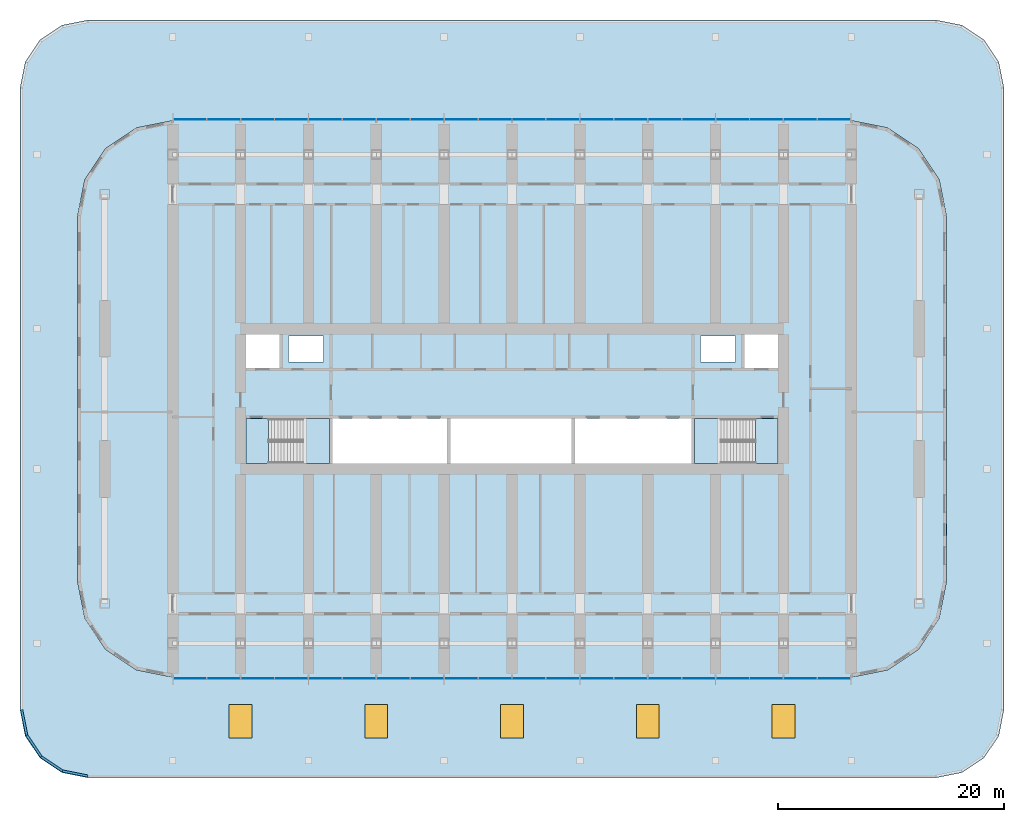
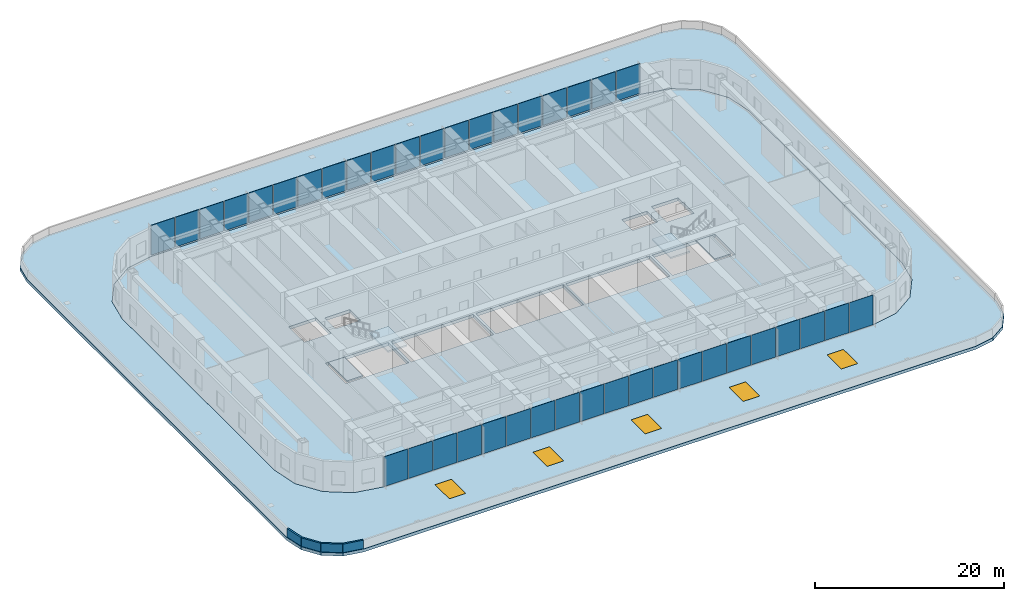
# One storey, part 8 of 23: 40 plates, 6 slabs, 5 windows, 4 walls, 5 openings, 4 elements without a shape of their own.
"""IFC4 building model written with IfcOpenShell, lengths in metres."""

import ifcopenshell
import ifcopenshell.guid

model = None  # the IFC model being written
_history = None  # IfcOwnerHistory: only IFC2X3 demands one
_inside = {}  # id of a spatial element -> (the spatial element, [elements in it])
_under = {}  # id of a project, library or spatial element -> (it, [spatial elements below it])
_declared = {}  # id of a project -> (the project, [libraries it declares])
_typed = {}  # id of a type object -> (the type object, [elements of that type])
_made_of = {}  # id of a material, layer set ... -> (it, [elements and type objects made of it])


def new_model(schema):
    """Start an empty IFC model of exactly this schema.

    Asked for "IFC4X3", IfcOpenShell would pick the latest addendum, in which some entities
    have other attributes; the version numbers below select the first issue.
    IFC2X3 requires an IfcOwnerHistory on every rooted entity: one is made here for all.
    """
    global model, _history
    if schema == "IFC4X3":
        model = ifcopenshell.file(schema_version=(4, 3, 0, 0))
    else:
        model = ifcopenshell.file(schema=schema)
    _inside.clear()
    _under.clear()
    _declared.clear()
    _typed.clear()
    _made_of.clear()
    _history = None
    if model.schema == "IFC2X3":
        org = make("IfcOrganization", Name="unknown")
        user = make(
            "IfcPersonAndOrganization",
            ThePerson=make("IfcPerson", FamilyName="unknown"),
            TheOrganization=org,
        )
        app = make(
            "IfcApplication",
            ApplicationDeveloper=org,
            Version="unknown",
            ApplicationFullName="unknown",
            ApplicationIdentifier="unknown",
        )
        _history = make(
            "IfcOwnerHistory",
            OwningUser=user,
            OwningApplication=app,
            ChangeAction="ADDED",
            CreationDate=0,
        )
    return model


def make(cls, **values):
    """One entity of the class cls with the attributes given. An attribute that is None is left unset."""
    return model.create_entity(
        cls, **{name: value for name, value in values.items() if value is not None}
    )


def rooted(cls, **values):
    """An entity with a GlobalId (a new one), such as an element, a storey or a relation."""
    return make(cls, GlobalId=ifcopenshell.guid.new(), OwnerHistory=_history, **values)


def si_unit(unit_type, name, prefix=None):
    """IfcSIUnit, for example si_unit("LENGTHUNIT", "METRE", prefix="MILLI")."""
    return make("IfcSIUnit", UnitType=unit_type, Prefix=prefix, Name=name)


def assignment(units):
    """IfcUnitAssignment: the units of a project."""
    return None if units is None else make("IfcUnitAssignment", Units=units)


def point(xyz):
    """IfcCartesianPoint."""
    return None if xyz is None else make("IfcCartesianPoint", Coordinates=xyz)


def direction(xyz):
    """IfcDirection."""
    return None if xyz is None else make("IfcDirection", DirectionRatios=xyz)


def frame(location, z_axis=None, x_axis=None):
    """IfcAxis2Placement3D, a coordinate frame: its origin and axes. An axis left out is left unset."""
    return make(
        "IfcAxis2Placement3D",
        Location=point(location),
        Axis=direction(z_axis),
        RefDirection=direction(x_axis),
    )


def frame_2d(location, x_axis=None):
    """IfcAxis2Placement2D, a coordinate frame in the plane: its origin and x axis."""
    return make(
        "IfcAxis2Placement2D", Location=point(location), RefDirection=direction(x_axis)
    )


def origin():
    """The frame at (0, 0, 0) with its axes left unset."""
    return frame((0.0, 0.0, 0.0))


def origin_2d():
    """The frame at (0, 0) in the plane with its x axis left unset."""
    return frame_2d((0.0, 0.0))


def place(relative_to, where):
    """IfcLocalPlacement: puts the frame where relative to a parent placement (None: the world)."""
    return make(
        "IfcLocalPlacement", PlacementRelTo=relative_to, RelativePlacement=where
    )


def context(
    kind, dimensions, precision=None, world=None, true_north=None, identifier=None
):
    """IfcGeometricRepresentationContext, for example the 3D "Model" context."""
    return make(
        "IfcGeometricRepresentationContext",
        ContextIdentifier=identifier,
        ContextType=kind,
        CoordinateSpaceDimension=dimensions,
        Precision=precision,
        WorldCoordinateSystem=world,
        TrueNorth=true_north,
    )


def subcontext(parent, identifier, kind, view, scale=None):
    """IfcGeometricRepresentationSubContext, for example "Body" below "Model"."""
    return make(
        "IfcGeometricRepresentationSubContext",
        ContextIdentifier=identifier,
        ContextType=kind,
        ParentContext=parent,
        TargetScale=scale,
        TargetView=view,
    )


def project(units=None, contexts=None):
    """IfcProject with its units and contexts."""
    return rooted(
        "IfcProject",
        Name="project",
        RepresentationContexts=contexts,
        UnitsInContext=assignment(units),
    )


def spatial(cls, under=None, at=None, **own):
    """A site, building, storey or space (cls), placed at a placement, below another one or the project."""
    s = rooted(cls, ObjectPlacement=at, **own)
    if under is not None:
        _under.setdefault(under.id(), (under, []))[1].append(s)
    return s


def polyline(points):
    """IfcPolyline through the points."""
    return make("IfcPolyline", Points=[point(p) for p in points])


def profile(cls, at=None, kind="AREA", **sizes):
    """A parametric profile (cls). Its sizes go by their IFC names, for example OverallWidth=200.0."""
    return make(cls, ProfileType=kind, Position=at, **sizes)


def rectangle(**sizes):
    """IfcRectangleProfileDef."""
    return profile("IfcRectangleProfileDef", **sizes)


def outline(outer, holes=None, kind="AREA"):
    """IfcArbitraryClosedProfileDef: a profile drawn as a closed curve; with holes, ...WithVoids."""
    if holes is None:
        return make("IfcArbitraryClosedProfileDef", ProfileType=kind, OuterCurve=outer)
    return make(
        "IfcArbitraryProfileDefWithVoids",
        ProfileType=kind,
        OuterCurve=outer,
        InnerCurves=holes,
    )


def extrude(swept, where, along, depth):
    """IfcExtrudedAreaSolid: the profile swept, set in the frame where, extruded along a direction by depth."""
    return make(
        "IfcExtrudedAreaSolid",
        SweptArea=swept,
        Position=where,
        ExtrudedDirection=direction(along),
        Depth=depth,
    )


def shape(context_of_items, identifier, shape_type, items):
    """IfcShapeRepresentation: the items that make up one representation, for example the "Body"."""
    return make(
        "IfcShapeRepresentation",
        ContextOfItems=context_of_items,
        RepresentationIdentifier=identifier,
        RepresentationType=shape_type,
        Items=items,
    )


def material(Name=None, Category=None):
    """IfcMaterial."""
    return make("IfcMaterial", Name=Name, Category=Category)


def layer(
    of_material, thickness, ventilated=None, Name=None, Category=None, Priority=None
):
    """IfcMaterialLayer: one layer of a wall or slab, of a material (None: an air gap)."""
    return make(
        "IfcMaterialLayer",
        Material=of_material,
        LayerThickness=thickness,
        IsVentilated=ventilated,
        Name=Name,
        Category=Category,
        Priority=Priority,
    )


def layer_set(layers, Name=None):
    """IfcMaterialLayerSet."""
    return make("IfcMaterialLayerSet", MaterialLayers=layers, LayerSetName=Name)


def made_of(thing, what):
    """Note that an element or type object is made of a material, layer set ...; save() writes the relation."""
    if what is not None:
        _made_of.setdefault(what.id(), (what, []))[1].append(thing)
    return thing


def type_object(cls, material=None, **own):
    """A type object (cls), such as IfcWallType, which elements share."""
    return made_of(rooted(cls, **own), material)


def element(
    cls,
    number,
    at=None,
    inside=None,
    cuts=None,
    type_object=None,
    material=None,
    context=None,
    identifier="Body",
    shape_type=None,
    held_by="IfcProductDefinitionShape",
    body=None,
    shapes=None,
    **own,
):
    """One element of the class cls, such as IfcWall. Its Tag is "e" and its number.

    at: its placement. inside: the storey or other place that contains it. cuts: it is an
    opening in that element (IfcRelVoidsElement). A single representation is given by context,
    identifier, shape_type and body (its items); several are given by shapes. held_by: the class
    of the entity that holds the representations. save() writes the other relations.
    """
    e = rooted(cls, Tag="e%d" % number, ObjectPlacement=at, **own)
    if body is not None:
        shapes = [shape(context, identifier, shape_type, body)]
    if shapes is not None:
        e.Representation = make(held_by, Representations=shapes)
    if inside is not None:
        _inside.setdefault(inside.id(), (inside, []))[1].append(e)
    if cuts is not None:
        rooted(
            "IfcRelVoidsElement", RelatingBuildingElement=cuts, RelatedOpeningElement=e
        )
    if type_object is not None:
        _typed.setdefault(type_object.id(), (type_object, []))[1].append(e)
    return made_of(e, material)


def fill(opening, filler):
    """IfcRelFillsElement: the door or window that sits in an opening."""
    return rooted(
        "IfcRelFillsElement",
        RelatingOpeningElement=opening,
        RelatedBuildingElement=filler,
    )


def aggregate(whole, parts):
    """IfcRelAggregates: a whole, such as a stair, and the parts it consists of."""
    return rooted("IfcRelAggregates", RelatingObject=whole, RelatedObjects=parts)


def save(model, path):
    """Write the relations noted so far, then the file.

    IfcRelAggregates (storeys below a building ...), IfcRelContainedInSpatialStructure (elements
    in a storey), IfcRelDefinesByType, IfcRelAssociatesMaterial and IfcRelDeclares: one each for
    every whole, place, type object, material and project.
    """
    for whole, parts in _under.values():
        aggregate(whole, parts)
    for where, things in _inside.values():
        rooted(
            "IfcRelContainedInSpatialStructure",
            RelatedElements=things,
            RelatingStructure=where,
        )
    for kind, things in _typed.values():
        rooted("IfcRelDefinesByType", RelatedObjects=things, RelatingType=kind)
    for what, things in _made_of.values():
        rooted("IfcRelAssociatesMaterial", RelatedObjects=things, RelatingMaterial=what)
    for by, libraries in _declared.values():
        rooted("IfcRelDeclares", RelatingContext=by, RelatedDefinitions=libraries)
    model.write(path)


model = new_model("IFC4")

# Units and contexts
model_context = context("Model", 3, precision=1e-05, world=origin(), true_north=direction((0.0, 1.0)))
body_context = subcontext(model_context, "Body", "Model", "MODEL_VIEW")
ifc_project = project(units=[si_unit("LENGTHUNIT", "METRE"), si_unit("AREAUNIT", "SQUARE_METRE"), si_unit("VOLUMEUNIT", "CUBIC_METRE"), si_unit("PLANEANGLEUNIT", "RADIAN"), si_unit("MASSUNIT", "GRAM", prefix="KILO")], contexts=[model_context])

# Site, building, storey
site_placement = place(None, origin())
site = spatial("IfcSite", under=ifc_project, at=site_placement, CompositionType="ELEMENT")
building_placement = place(site_placement, origin())
building = spatial("IfcBuilding", under=site, at=building_placement, Name="Orbita Commons", CompositionType="ELEMENT")
storey_placement = place(building_placement, frame((0.0, 0.0, 16.0)))
storey = spatial("IfcBuildingStorey", under=building, at=storey_placement, Name="L03", CompositionType="ELEMENT", Elevation=16.0)

# Slab
ifc_material_1 = material(Name="Concrete C40/50", Category="concrete")
ifc_layer_1 = layer(ifc_material_1, 0.39990234375)
ifc_layer_set_1 = layer_set([ifc_layer_1], Name="Concrete C40/50")
slab_type_1 = type_object("IfcSlabType", Name="Floor slab 400", PredefinedType="FLOOR", material=ifc_layer_set_1)
slab_1_placement = place(storey_placement, frame((0.0, 0.0, -0.39990234375)))
element("IfcSlab", 1, at=slab_1_placement, inside=storey, type_object=slab_type_1, Name="Floor slab L03", PredefinedType="FLOOR", context=body_context, shape_type="SweptSolid", body=[
    extrude(outline(polyline([(72.0, 7.39990234375), (75.214599609375, 8.039306640625), (77.939697265625, 9.8603515625), (79.760498046875, 12.58544921875), (80.39990234375, 15.800048828125), (80.39990234375, 48.199951171875), (79.760498046875, 51.41455078125), (77.939697265625, 54.1396484375), (75.214599609375, 55.960693359375), (72.0, 56.60009765625), (12.0, 56.60009765625), (8.785400390625, 55.960693359375), (6.060302734375, 54.1396484375), (4.239501953125, 51.41455078125), (3.60009765625, 48.199951171875), (3.60009765625, 15.800048828125), (4.239501953125, 12.58544921875), (6.060302734375, 9.8603515625), (8.785400390625, 8.039306640625), (12.0, 7.39990234375), (72.0, 7.39990234375)]), holes=[polyline([(18.14990234375, 25.949951171875), (25.85009765625, 25.949951171875), (25.85009765625, 30.25), (18.14990234375, 30.25), (18.14990234375, 25.949951171875)]), polyline([(58.14990234375, 25.949951171875), (65.85009765625, 25.949951171875), (65.85009765625, 30.25), (58.14990234375, 30.25), (58.14990234375, 25.949951171875)]), polyline([(18.14990234375, 34.75), (21.449951171875, 34.75), (21.449951171875, 38.050048828125), (18.14990234375, 38.050048828125), (18.14990234375, 34.75)]), polyline([(62.550048828125, 34.75), (65.85009765625, 34.75), (65.85009765625, 38.050048828125), (62.550048828125, 38.050048828125), (62.550048828125, 34.75)]), polyline([(22.25, 35.25), (25.35009765625, 35.25), (25.35009765625, 37.550048828125), (22.25, 37.550048828125), (22.25, 35.25)]), polyline([(58.64990234375, 35.25), (61.75, 35.25), (61.75, 37.550048828125), (58.64990234375, 37.550048828125), (58.64990234375, 35.25)]), polyline([(26.14990234375, 25.949951171875), (36.25, 25.949951171875), (36.25, 30.25), (26.14990234375, 30.25), (26.14990234375, 25.949951171875)]), polyline([(36.550048828125, 25.949951171875), (47.25, 25.949951171875), (47.25, 30.25), (36.550048828125, 30.25), (36.550048828125, 25.949951171875)]), polyline([(47.550048828125, 25.949951171875), (57.85009765625, 25.949951171875), (57.85009765625, 30.25), (47.550048828125, 30.25), (47.550048828125, 25.949951171875)])]), origin(), (0.0, 0.0, 1.0), 0.39990234375),
])

# Slab, openings, windows
ifc_material_2 = material(Name="Concrete C40/50", Category="concrete")
ifc_layer_2 = layer(ifc_material_2, 0.39990234375)
ifc_layer_set_2 = layer_set([ifc_layer_2], Name="Concrete C40/50")
slab_type_2 = type_object("IfcSlabType", Name="Green roof slab 400", PredefinedType="ROOF", material=ifc_layer_set_2)
slab_2_placement = place(storey_placement, frame((0.0, 0.0, -0.39990234375)))
slab_2 = element("IfcSlab", 2, at=slab_2_placement, inside=storey, type_object=slab_type_2, Name="Green roof L03", PredefinedType="ROOF", context=body_context, shape_type="SweptSolid", body=[
    extrude(outline(polyline([(4.5, -1.5), (2.203857421875, -1.043212890625), (0.25732421875, 0.25732421875), (-1.043212890625, 2.203857421875), (-1.5, 4.5), (-1.5, 59.5), (-1.043212890625, 61.796142578125), (0.25732421875, 63.74267578125), (2.203857421875, 65.043212890625), (4.5, 65.5), (79.5, 65.5), (81.796142578125, 65.043212890625), (83.74267578125, 63.74267578125), (85.043212890625, 61.796142578125), (85.5, 59.5), (85.5, 4.5), (85.043212890625, 2.203857421875), (83.74267578125, 0.25732421875), (81.796142578125, -1.043212890625), (79.5, -1.5), (4.5, -1.5)]), holes=[polyline([(75.214599609375, 8.039306640625), (77.939697265625, 9.8603515625), (79.760498046875, 12.58544921875), (80.39990234375, 15.800048828125), (80.39990234375, 48.199951171875), (79.760498046875, 51.41455078125), (77.939697265625, 54.1396484375), (75.214599609375, 55.960693359375), (72.0, 56.60009765625), (12.0, 56.60009765625), (8.785400390625, 55.960693359375), (6.060302734375, 54.1396484375), (4.239501953125, 51.41455078125), (3.60009765625, 48.199951171875), (3.60009765625, 15.800048828125), (4.239501953125, 12.58544921875), (6.060302734375, 9.8603515625), (8.785400390625, 8.039306640625), (12.0, 7.39990234375), (72.0, 7.39990234375), (75.214599609375, 8.039306640625)])]), origin(), (0.0, 0.0, 1.0), 0.39990234375),
])
opening_1_placement = place(slab_2_placement, frame((18.0, 3.5, 0.0)))
opening_1 = element("IfcOpeningElement", 3, at=opening_1_placement, cuts=slab_2, Name="Opening RL1", PredefinedType="OPENING", context=body_context, shape_type="SweptSolid", body=[
    extrude(rectangle(XDim=2.0, YDim=3.0, at=origin_2d()), origin(), (0.0, 0.0, 1.0), 0.39990234375),
])
opening_2_placement = place(slab_2_placement, frame((30.0, 3.5, 0.0)))
opening_2 = element("IfcOpeningElement", 4, at=opening_2_placement, cuts=slab_2, Name="Opening RL1", PredefinedType="OPENING", context=body_context, shape_type="SweptSolid", body=[
    extrude(rectangle(XDim=2.0, YDim=3.0, at=origin_2d()), origin(), (0.0, 0.0, 1.0), 0.39990234375),
])
opening_3_placement = place(slab_2_placement, frame((42.0, 3.5, 0.0)))
opening_3 = element("IfcOpeningElement", 5, at=opening_3_placement, cuts=slab_2, Name="Opening RL1", PredefinedType="OPENING", context=body_context, shape_type="SweptSolid", body=[
    extrude(rectangle(XDim=2.0, YDim=3.0, at=origin_2d()), origin(), (0.0, 0.0, 1.0), 0.39990234375),
])
opening_4_placement = place(slab_2_placement, frame((54.0, 3.5, 0.0)))
opening_4 = element("IfcOpeningElement", 6, at=opening_4_placement, cuts=slab_2, Name="Opening RL1", PredefinedType="OPENING", context=body_context, shape_type="SweptSolid", body=[
    extrude(rectangle(XDim=2.0, YDim=3.0, at=origin_2d()), origin(), (0.0, 0.0, 1.0), 0.39990234375),
])
opening_5_placement = place(slab_2_placement, frame((66.0, 3.5, 0.0)))
opening_5 = element("IfcOpeningElement", 7, at=opening_5_placement, cuts=slab_2, Name="Opening RL1", PredefinedType="OPENING", context=body_context, shape_type="SweptSolid", body=[
    extrude(rectangle(XDim=2.0, YDim=3.0, at=origin_2d()), origin(), (0.0, 0.0, 1.0), 0.39990234375),
])
ifc_material_3 = material(Name="Laminated walk-on glass in a stainless steel frame", Category="steel")
window_type = type_object("IfcWindowType", Name="Walk-on rooflight 2000x3000", PartitioningType="SINGLE_PANEL", PredefinedType="SKYLIGHT", material=ifc_material_3)
window_1_placement = place(opening_1_placement, frame((0.0, 0.0, 0.349853515625)))
window_1 = element("IfcWindow", 8, at=window_1_placement, inside=storey, type_object=window_type, Name="Walk-on rooflight 1", OverallHeight=3.0, OverallWidth=2.0, PartitioningType="SINGLE_PANEL", PredefinedType="SKYLIGHT", context=body_context, shape_type="SweptSolid", body=[
    extrude(rectangle(XDim=2.0, YDim=3.0, at=origin_2d()), origin(), (0.0, 0.0, 1.0), 0.050048828125),
])
fill(opening_1, window_1)
window_2_placement = place(opening_2_placement, frame((0.0, 0.0, 0.349853515625)))
window_2 = element("IfcWindow", 9, at=window_2_placement, inside=storey, type_object=window_type, Name="Walk-on rooflight 2", OverallHeight=3.0, OverallWidth=2.0, PartitioningType="SINGLE_PANEL", PredefinedType="SKYLIGHT", context=body_context, shape_type="SweptSolid", body=[
    extrude(rectangle(XDim=2.0, YDim=3.0, at=origin_2d()), origin(), (0.0, 0.0, 1.0), 0.050048828125),
])
fill(opening_2, window_2)
window_3_placement = place(opening_3_placement, frame((0.0, 0.0, 0.349853515625)))
window_3 = element("IfcWindow", 10, at=window_3_placement, inside=storey, type_object=window_type, Name="Walk-on rooflight 3", OverallHeight=3.0, OverallWidth=2.0, PartitioningType="SINGLE_PANEL", PredefinedType="SKYLIGHT", context=body_context, shape_type="SweptSolid", body=[
    extrude(rectangle(XDim=2.0, YDim=3.0, at=origin_2d()), origin(), (0.0, 0.0, 1.0), 0.050048828125),
])
fill(opening_3, window_3)
window_4_placement = place(opening_4_placement, frame((0.0, 0.0, 0.349853515625)))
window_4 = element("IfcWindow", 11, at=window_4_placement, inside=storey, type_object=window_type, Name="Walk-on rooflight 4", OverallHeight=3.0, OverallWidth=2.0, PartitioningType="SINGLE_PANEL", PredefinedType="SKYLIGHT", context=body_context, shape_type="SweptSolid", body=[
    extrude(rectangle(XDim=2.0, YDim=3.0, at=origin_2d()), origin(), (0.0, 0.0, 1.0), 0.050048828125),
])
fill(opening_4, window_4)
window_5_placement = place(opening_5_placement, frame((0.0, 0.0, 0.349853515625)))
window_5 = element("IfcWindow", 12, at=window_5_placement, inside=storey, type_object=window_type, Name="Walk-on rooflight 5", OverallHeight=3.0, OverallWidth=2.0, PartitioningType="SINGLE_PANEL", PredefinedType="SKYLIGHT", context=body_context, shape_type="SweptSolid", body=[
    extrude(rectangle(XDim=2.0, YDim=3.0, at=origin_2d()), origin(), (0.0, 0.0, 1.0), 0.050048828125),
])
fill(opening_5, window_5)

# Stair, slabs
ifc_material_4 = material(Name="Precast concrete C40/50", Category="concrete")
stair_type_1 = type_object("IfcStairType", Name="Exit stair S1 2 flights 12 risers 175", PredefinedType="HALF_TURN_STAIR", material=ifc_material_4)
stair_1_placement = place(storey_placement, origin())
stair_1 = element("IfcStair", 13, at=stair_1_placement, inside=storey, type_object=stair_type_1, Name="Exit stair S1 L03", PredefinedType="HALF_TURN_STAIR")
ifc_material_5 = material(Name="Concrete C40/50", Category="concrete")
ifc_layer_3 = layer(ifc_material_5, 0.199951171875)
ifc_layer_set_3 = layer_set([ifc_layer_3], Name="Concrete C40/50")
slab_type_3 = type_object("IfcSlabType", Name="Stair landing 200", PredefinedType="LANDING", material=ifc_layer_set_3)
slab_3_placement = place(storey_placement, frame((0.0, 0.0, -0.199951171875)))
slab_3 = element("IfcSlab", 14, at=slab_3_placement, type_object=slab_type_3, Name="S1 landing 1", PredefinedType="LANDING", context=body_context, shape_type="SweptSolid", body=[
    extrude(outline(polyline([(18.5, 26.300048828125), (20.449951171875, 26.300048828125), (20.449951171875, 30.25), (18.5, 30.25), (18.5, 26.300048828125)])), origin(), (0.0, 0.0, 1.0), 0.199951171875),
])
slab_4_placement = place(storey_placement, frame((0.0, 0.0, 1.89990234375)))
slab_4 = element("IfcSlab", 15, at=slab_4_placement, type_object=slab_type_3, Name="S1 landing 2", PredefinedType="LANDING", context=body_context, shape_type="SweptSolid", body=[
    extrude(outline(polyline([(23.530029296875, 26.284912109375), (25.864990234375, 26.284912109375), (25.864990234375, 30.264892578125), (23.530029296875, 30.264892578125), (23.530029296875, 26.284912109375)])), origin(), (0.0, 0.0, 1.0), 0.2001953125),
])
aggregate(stair_1, [slab_3, slab_4])

ifc_material_6 = material(Name="Precast concrete C40/50", Category="concrete")
stair_type_2 = type_object("IfcStairType", Name="Exit stair S2 2 flights 12 risers 175", PredefinedType="HALF_TURN_STAIR", material=ifc_material_6)
stair_2_placement = place(storey_placement, origin())
stair_2 = element("IfcStair", 16, at=stair_2_placement, inside=storey, type_object=stair_type_2, Name="Exit stair S2 L03", PredefinedType="HALF_TURN_STAIR")
slab_5_placement = place(storey_placement, frame((0.0, 0.0, -0.199951171875)))
slab_5 = element("IfcSlab", 17, at=slab_5_placement, type_object=slab_type_3, Name="S2 landing 1", PredefinedType="LANDING", context=body_context, shape_type="SweptSolid", body=[
    extrude(outline(polyline([(63.550048828125, 26.300048828125), (65.5, 26.300048828125), (65.5, 30.25), (63.550048828125, 30.25), (63.550048828125, 26.300048828125)])), origin(), (0.0, 0.0, 1.0), 0.199951171875),
])
slab_6_placement = place(storey_placement, frame((0.0, 0.0, 1.89990234375)))
slab_6 = element("IfcSlab", 18, at=slab_6_placement, type_object=slab_type_3, Name="S2 landing 2", PredefinedType="LANDING", context=body_context, shape_type="SweptSolid", body=[
    extrude(outline(polyline([(58.135009765625, 26.284912109375), (60.469970703125, 26.284912109375), (60.469970703125, 30.264892578125), (58.135009765625, 30.264892578125), (58.135009765625, 26.284912109375)])), origin(), (0.0, 0.0, 1.0), 0.2001953125),
])
aggregate(stair_2, [slab_5, slab_6])

# Curtain wall, plates
ifc_material_7 = material(Name="Anodised aluminium frame, pale silver", Category="aluminium")
curtain_wall_type = type_object("IfcCurtainWallType", Name="Unitised curtain wall CW-S, full-height", PredefinedType="NOTDEFINED", material=ifc_material_7)
curtain_wall_1_placement = place(storey_placement, origin())
curtain_wall_1 = element("IfcCurtainWall", 19, at=curtain_wall_1_placement, inside=storey, type_object=curtain_wall_type, Name="Curtain wall south L03", PredefinedType="NOTDEFINED")
ifc_material_8 = material(Name="Low-iron glass", Category="glass")
ifc_layer_4 = layer(ifc_material_8, 0.031982421875)
ifc_layer_set_4 = layer_set([ifc_layer_4], Name="Low-iron glass")
plate_type = type_object("IfcPlateType", Name="Vision panel, clear low-iron glazing 32", PredefinedType="CURTAIN_PANEL", material=ifc_layer_set_4)
plate_1_placement = place(storey_placement, frame((13.52001953125, 7.2900390625, 0.099853515625), z_axis=(0.0, 0.0, 1.0), x_axis=(1.0, 0.0, 0.0)))
plate_1 = element("IfcPlate", 20, at=plate_1_placement, type_object=plate_type, Name="Panel 1.1 CW-L03-S", PredefinedType="CURTAIN_PANEL", context=body_context, shape_type="SweptSolid", body=[
    extrude(rectangle(XDim=2.8798828125, YDim=0.031982421875, at=origin_2d()), origin(), (0.0, 0.0, 1.0), 3.85009765625),
])
plate_2_placement = place(storey_placement, frame((16.5, 7.2900390625, 0.099853515625), z_axis=(0.0, 0.0, 1.0), x_axis=(1.0, 0.0, 0.0)))
plate_2 = element("IfcPlate", 21, at=plate_2_placement, type_object=plate_type, Name="Panel 2.1 CW-L03-S", PredefinedType="CURTAIN_PANEL", context=body_context, shape_type="SweptSolid", body=[
    extrude(rectangle(XDim=2.919921875, YDim=0.031982421875, at=origin_2d()), origin(), (0.0, 0.0, 1.0), 3.85009765625),
])
plate_3_placement = place(storey_placement, frame((19.5, 7.2900390625, 0.099853515625), z_axis=(0.0, 0.0, 1.0), x_axis=(1.0, 0.0, 0.0)))
plate_3 = element("IfcPlate", 22, at=plate_3_placement, type_object=plate_type, Name="Panel 3.1 CW-L03-S", PredefinedType="CURTAIN_PANEL", context=body_context, shape_type="SweptSolid", body=[
    extrude(rectangle(XDim=2.919921875, YDim=0.031982421875, at=origin_2d()), origin(), (0.0, 0.0, 1.0), 3.85009765625),
])
plate_4_placement = place(storey_placement, frame((22.5, 7.2900390625, 0.099853515625), z_axis=(0.0, 0.0, 1.0), x_axis=(1.0, 0.0, 0.0)))
plate_4 = element("IfcPlate", 23, at=plate_4_placement, type_object=plate_type, Name="Panel 4.1 CW-L03-S", PredefinedType="CURTAIN_PANEL", context=body_context, shape_type="SweptSolid", body=[
    extrude(rectangle(XDim=2.919921875, YDim=0.031982421875, at=origin_2d()), origin(), (0.0, 0.0, 1.0), 3.85009765625),
])
plate_5_placement = place(storey_placement, frame((25.5, 7.2900390625, 0.099853515625), z_axis=(0.0, 0.0, 1.0), x_axis=(1.0, 0.0, 0.0)))
plate_5 = element("IfcPlate", 24, at=plate_5_placement, type_object=plate_type, Name="Panel 5.1 CW-L03-S", PredefinedType="CURTAIN_PANEL", context=body_context, shape_type="SweptSolid", body=[
    extrude(rectangle(XDim=2.919921875, YDim=0.031982421875, at=origin_2d()), origin(), (0.0, 0.0, 1.0), 3.85009765625),
])
plate_6_placement = place(storey_placement, frame((28.5, 7.2900390625, 0.099853515625), z_axis=(0.0, 0.0, 1.0), x_axis=(1.0, 0.0, 0.0)))
plate_6 = element("IfcPlate", 25, at=plate_6_placement, type_object=plate_type, Name="Panel 6.1 CW-L03-S", PredefinedType="CURTAIN_PANEL", context=body_context, shape_type="SweptSolid", body=[
    extrude(rectangle(XDim=2.919921875, YDim=0.031982421875, at=origin_2d()), origin(), (0.0, 0.0, 1.0), 3.85009765625),
])
plate_7_placement = place(storey_placement, frame((31.5, 7.2900390625, 0.099853515625), z_axis=(0.0, 0.0, 1.0), x_axis=(1.0, 0.0, 0.0)))
plate_7 = element("IfcPlate", 26, at=plate_7_placement, type_object=plate_type, Name="Panel 7.1 CW-L03-S", PredefinedType="CURTAIN_PANEL", context=body_context, shape_type="SweptSolid", body=[
    extrude(rectangle(XDim=2.919921875, YDim=0.031982421875, at=origin_2d()), origin(), (0.0, 0.0, 1.0), 3.85009765625),
])
plate_8_placement = place(storey_placement, frame((34.5, 7.2900390625, 0.099853515625), z_axis=(0.0, 0.0, 1.0), x_axis=(1.0, 0.0, 0.0)))
plate_8 = element("IfcPlate", 27, at=plate_8_placement, type_object=plate_type, Name="Panel 8.1 CW-L03-S", PredefinedType="CURTAIN_PANEL", context=body_context, shape_type="SweptSolid", body=[
    extrude(rectangle(XDim=2.919921875, YDim=0.031982421875, at=origin_2d()), origin(), (0.0, 0.0, 1.0), 3.85009765625),
])
plate_9_placement = place(storey_placement, frame((37.5, 7.2900390625, 0.099853515625), z_axis=(0.0, 0.0, 1.0), x_axis=(1.0, 0.0, 0.0)))
plate_9 = element("IfcPlate", 28, at=plate_9_placement, type_object=plate_type, Name="Panel 9.1 CW-L03-S", PredefinedType="CURTAIN_PANEL", context=body_context, shape_type="SweptSolid", body=[
    extrude(rectangle(XDim=2.919921875, YDim=0.031982421875, at=origin_2d()), origin(), (0.0, 0.0, 1.0), 3.85009765625),
])
plate_10_placement = place(storey_placement, frame((40.5, 7.2900390625, 0.099853515625), z_axis=(0.0, 0.0, 1.0), x_axis=(1.0, 0.0, 0.0)))
plate_10 = element("IfcPlate", 29, at=plate_10_placement, type_object=plate_type, Name="Panel 10.1 CW-L03-S", PredefinedType="CURTAIN_PANEL", context=body_context, shape_type="SweptSolid", body=[
    extrude(rectangle(XDim=2.919921875, YDim=0.031982421875, at=origin_2d()), origin(), (0.0, 0.0, 1.0), 3.85009765625),
])
plate_11_placement = place(storey_placement, frame((43.5, 7.2900390625, 0.099853515625), z_axis=(0.0, 0.0, 1.0), x_axis=(1.0, 0.0, 0.0)))
plate_11 = element("IfcPlate", 30, at=plate_11_placement, type_object=plate_type, Name="Panel 11.1 CW-L03-S", PredefinedType="CURTAIN_PANEL", context=body_context, shape_type="SweptSolid", body=[
    extrude(rectangle(XDim=2.919921875, YDim=0.031982421875, at=origin_2d()), origin(), (0.0, 0.0, 1.0), 3.85009765625),
])
plate_12_placement = place(storey_placement, frame((46.5, 7.2900390625, 0.099853515625), z_axis=(0.0, 0.0, 1.0), x_axis=(1.0, 0.0, 0.0)))
plate_12 = element("IfcPlate", 31, at=plate_12_placement, type_object=plate_type, Name="Panel 12.1 CW-L03-S", PredefinedType="CURTAIN_PANEL", context=body_context, shape_type="SweptSolid", body=[
    extrude(rectangle(XDim=2.919921875, YDim=0.031982421875, at=origin_2d()), origin(), (0.0, 0.0, 1.0), 3.85009765625),
])
plate_13_placement = place(storey_placement, frame((49.5, 7.2900390625, 0.099853515625), z_axis=(0.0, 0.0, 1.0), x_axis=(1.0, 0.0, 0.0)))
plate_13 = element("IfcPlate", 32, at=plate_13_placement, type_object=plate_type, Name="Panel 13.1 CW-L03-S", PredefinedType="CURTAIN_PANEL", context=body_context, shape_type="SweptSolid", body=[
    extrude(rectangle(XDim=2.919921875, YDim=0.031982421875, at=origin_2d()), origin(), (0.0, 0.0, 1.0), 3.85009765625),
])
plate_14_placement = place(storey_placement, frame((52.5, 7.2900390625, 0.099853515625), z_axis=(0.0, 0.0, 1.0), x_axis=(1.0, 0.0, 0.0)))
plate_14 = element("IfcPlate", 33, at=plate_14_placement, type_object=plate_type, Name="Panel 14.1 CW-L03-S", PredefinedType="CURTAIN_PANEL", context=body_context, shape_type="SweptSolid", body=[
    extrude(rectangle(XDim=2.919921875, YDim=0.031982421875, at=origin_2d()), origin(), (0.0, 0.0, 1.0), 3.85009765625),
])
plate_15_placement = place(storey_placement, frame((55.5, 7.2900390625, 0.099853515625), z_axis=(0.0, 0.0, 1.0), x_axis=(1.0, 0.0, 0.0)))
plate_15 = element("IfcPlate", 34, at=plate_15_placement, type_object=plate_type, Name="Panel 15.1 CW-L03-S", PredefinedType="CURTAIN_PANEL", context=body_context, shape_type="SweptSolid", body=[
    extrude(rectangle(XDim=2.919921875, YDim=0.031982421875, at=origin_2d()), origin(), (0.0, 0.0, 1.0), 3.85009765625),
])
plate_16_placement = place(storey_placement, frame((58.5, 7.2900390625, 0.099853515625), z_axis=(0.0, 0.0, 1.0), x_axis=(1.0, 0.0, 0.0)))
plate_16 = element("IfcPlate", 35, at=plate_16_placement, type_object=plate_type, Name="Panel 16.1 CW-L03-S", PredefinedType="CURTAIN_PANEL", context=body_context, shape_type="SweptSolid", body=[
    extrude(rectangle(XDim=2.919921875, YDim=0.031982421875, at=origin_2d()), origin(), (0.0, 0.0, 1.0), 3.85009765625),
])
plate_17_placement = place(storey_placement, frame((61.5, 7.2900390625, 0.099853515625), z_axis=(0.0, 0.0, 1.0), x_axis=(1.0, 0.0, 0.0)))
plate_17 = element("IfcPlate", 36, at=plate_17_placement, type_object=plate_type, Name="Panel 17.1 CW-L03-S", PredefinedType="CURTAIN_PANEL", context=body_context, shape_type="SweptSolid", body=[
    extrude(rectangle(XDim=2.919921875, YDim=0.031982421875, at=origin_2d()), origin(), (0.0, 0.0, 1.0), 3.85009765625),
])
plate_18_placement = place(storey_placement, frame((64.5, 7.2900390625, 0.099853515625), z_axis=(0.0, 0.0, 1.0), x_axis=(1.0, 0.0, 0.0)))
plate_18 = element("IfcPlate", 37, at=plate_18_placement, type_object=plate_type, Name="Panel 18.1 CW-L03-S", PredefinedType="CURTAIN_PANEL", context=body_context, shape_type="SweptSolid", body=[
    extrude(rectangle(XDim=2.919921875, YDim=0.031982421875, at=origin_2d()), origin(), (0.0, 0.0, 1.0), 3.85009765625),
])
plate_19_placement = place(storey_placement, frame((67.5, 7.2900390625, 0.099853515625), z_axis=(0.0, 0.0, 1.0), x_axis=(1.0, 0.0, 0.0)))
plate_19 = element("IfcPlate", 38, at=plate_19_placement, type_object=plate_type, Name="Panel 19.1 CW-L03-S", PredefinedType="CURTAIN_PANEL", context=body_context, shape_type="SweptSolid", body=[
    extrude(rectangle(XDim=2.919921875, YDim=0.031982421875, at=origin_2d()), origin(), (0.0, 0.0, 1.0), 3.85009765625),
])
plate_20_placement = place(storey_placement, frame((70.47998046875, 7.2900390625, 0.099853515625), z_axis=(0.0, 0.0, 1.0), x_axis=(1.0, 0.0, 0.0)))
plate_20 = element("IfcPlate", 39, at=plate_20_placement, type_object=plate_type, Name="Panel 20.1 CW-L03-S", PredefinedType="CURTAIN_PANEL", context=body_context, shape_type="SweptSolid", body=[
    extrude(rectangle(XDim=2.8798828125, YDim=0.031982421875, at=origin_2d()), origin(), (0.0, 0.0, 1.0), 3.85009765625),
])
aggregate(curtain_wall_1, [plate_1, plate_2, plate_3, plate_4, plate_5, plate_6, plate_7, plate_8, plate_9, plate_10, plate_11, plate_12, plate_13, plate_14, plate_15, plate_16, plate_17, plate_18, plate_19, plate_20])

curtain_wall_2_placement = place(storey_placement, origin())
curtain_wall_2 = element("IfcCurtainWall", 40, at=curtain_wall_2_placement, inside=storey, type_object=curtain_wall_type, Name="Curtain wall north L03", PredefinedType="NOTDEFINED")
plate_21_placement = place(storey_placement, frame((70.47998046875, 56.7099609375, 0.099853515625), z_axis=(0.0, 0.0, 1.0), x_axis=(-1.0, 0.0, 0.0)))
plate_21 = element("IfcPlate", 41, at=plate_21_placement, type_object=plate_type, Name="Panel 1.1 CW-L03-N", PredefinedType="CURTAIN_PANEL", context=body_context, shape_type="SweptSolid", body=[
    extrude(rectangle(XDim=2.8798828125, YDim=0.031982421875, at=origin_2d()), origin(), (0.0, 0.0, 1.0), 3.85009765625),
])
plate_22_placement = place(storey_placement, frame((67.5, 56.7099609375, 0.099853515625), z_axis=(0.0, 0.0, 1.0), x_axis=(-1.0, 0.0, 0.0)))
plate_22 = element("IfcPlate", 42, at=plate_22_placement, type_object=plate_type, Name="Panel 2.1 CW-L03-N", PredefinedType="CURTAIN_PANEL", context=body_context, shape_type="SweptSolid", body=[
    extrude(rectangle(XDim=2.919921875, YDim=0.031982421875, at=origin_2d()), origin(), (0.0, 0.0, 1.0), 3.85009765625),
])
plate_23_placement = place(storey_placement, frame((64.5, 56.7099609375, 0.099853515625), z_axis=(0.0, 0.0, 1.0), x_axis=(-1.0, 0.0, 0.0)))
plate_23 = element("IfcPlate", 43, at=plate_23_placement, type_object=plate_type, Name="Panel 3.1 CW-L03-N", PredefinedType="CURTAIN_PANEL", context=body_context, shape_type="SweptSolid", body=[
    extrude(rectangle(XDim=2.919921875, YDim=0.031982421875, at=origin_2d()), origin(), (0.0, 0.0, 1.0), 3.85009765625),
])
plate_24_placement = place(storey_placement, frame((61.5, 56.7099609375, 0.099853515625), z_axis=(0.0, 0.0, 1.0), x_axis=(-1.0, 0.0, 0.0)))
plate_24 = element("IfcPlate", 44, at=plate_24_placement, type_object=plate_type, Name="Panel 4.1 CW-L03-N", PredefinedType="CURTAIN_PANEL", context=body_context, shape_type="SweptSolid", body=[
    extrude(rectangle(XDim=2.919921875, YDim=0.031982421875, at=origin_2d()), origin(), (0.0, 0.0, 1.0), 3.85009765625),
])
plate_25_placement = place(storey_placement, frame((58.5, 56.7099609375, 0.099853515625), z_axis=(0.0, 0.0, 1.0), x_axis=(-1.0, 0.0, 0.0)))
plate_25 = element("IfcPlate", 45, at=plate_25_placement, type_object=plate_type, Name="Panel 5.1 CW-L03-N", PredefinedType="CURTAIN_PANEL", context=body_context, shape_type="SweptSolid", body=[
    extrude(rectangle(XDim=2.919921875, YDim=0.031982421875, at=origin_2d()), origin(), (0.0, 0.0, 1.0), 3.85009765625),
])
plate_26_placement = place(storey_placement, frame((55.5, 56.7099609375, 0.099853515625), z_axis=(0.0, 0.0, 1.0), x_axis=(-1.0, 0.0, 0.0)))
plate_26 = element("IfcPlate", 46, at=plate_26_placement, type_object=plate_type, Name="Panel 6.1 CW-L03-N", PredefinedType="CURTAIN_PANEL", context=body_context, shape_type="SweptSolid", body=[
    extrude(rectangle(XDim=2.919921875, YDim=0.031982421875, at=origin_2d()), origin(), (0.0, 0.0, 1.0), 3.85009765625),
])
plate_27_placement = place(storey_placement, frame((52.5, 56.7099609375, 0.099853515625), z_axis=(0.0, 0.0, 1.0), x_axis=(-1.0, 0.0, 0.0)))
plate_27 = element("IfcPlate", 47, at=plate_27_placement, type_object=plate_type, Name="Panel 7.1 CW-L03-N", PredefinedType="CURTAIN_PANEL", context=body_context, shape_type="SweptSolid", body=[
    extrude(rectangle(XDim=2.919921875, YDim=0.031982421875, at=origin_2d()), origin(), (0.0, 0.0, 1.0), 3.85009765625),
])
plate_28_placement = place(storey_placement, frame((49.5, 56.7099609375, 0.099853515625), z_axis=(0.0, 0.0, 1.0), x_axis=(-1.0, 0.0, 0.0)))
plate_28 = element("IfcPlate", 48, at=plate_28_placement, type_object=plate_type, Name="Panel 8.1 CW-L03-N", PredefinedType="CURTAIN_PANEL", context=body_context, shape_type="SweptSolid", body=[
    extrude(rectangle(XDim=2.919921875, YDim=0.031982421875, at=origin_2d()), origin(), (0.0, 0.0, 1.0), 3.85009765625),
])
plate_29_placement = place(storey_placement, frame((46.5, 56.7099609375, 0.099853515625), z_axis=(0.0, 0.0, 1.0), x_axis=(-1.0, 0.0, 0.0)))
plate_29 = element("IfcPlate", 49, at=plate_29_placement, type_object=plate_type, Name="Panel 9.1 CW-L03-N", PredefinedType="CURTAIN_PANEL", context=body_context, shape_type="SweptSolid", body=[
    extrude(rectangle(XDim=2.919921875, YDim=0.031982421875, at=origin_2d()), origin(), (0.0, 0.0, 1.0), 3.85009765625),
])
plate_30_placement = place(storey_placement, frame((43.5, 56.7099609375, 0.099853515625), z_axis=(0.0, 0.0, 1.0), x_axis=(-1.0, 0.0, 0.0)))
plate_30 = element("IfcPlate", 50, at=plate_30_placement, type_object=plate_type, Name="Panel 10.1 CW-L03-N", PredefinedType="CURTAIN_PANEL", context=body_context, shape_type="SweptSolid", body=[
    extrude(rectangle(XDim=2.919921875, YDim=0.031982421875, at=origin_2d()), origin(), (0.0, 0.0, 1.0), 3.85009765625),
])
plate_31_placement = place(storey_placement, frame((40.5, 56.7099609375, 0.099853515625), z_axis=(0.0, 0.0, 1.0), x_axis=(-1.0, 0.0, 0.0)))
plate_31 = element("IfcPlate", 51, at=plate_31_placement, type_object=plate_type, Name="Panel 11.1 CW-L03-N", PredefinedType="CURTAIN_PANEL", context=body_context, shape_type="SweptSolid", body=[
    extrude(rectangle(XDim=2.919921875, YDim=0.031982421875, at=origin_2d()), origin(), (0.0, 0.0, 1.0), 3.85009765625),
])
plate_32_placement = place(storey_placement, frame((37.5, 56.7099609375, 0.099853515625), z_axis=(0.0, 0.0, 1.0), x_axis=(-1.0, 0.0, 0.0)))
plate_32 = element("IfcPlate", 52, at=plate_32_placement, type_object=plate_type, Name="Panel 12.1 CW-L03-N", PredefinedType="CURTAIN_PANEL", context=body_context, shape_type="SweptSolid", body=[
    extrude(rectangle(XDim=2.919921875, YDim=0.031982421875, at=origin_2d()), origin(), (0.0, 0.0, 1.0), 3.85009765625),
])
plate_33_placement = place(storey_placement, frame((34.5, 56.7099609375, 0.099853515625), z_axis=(0.0, 0.0, 1.0), x_axis=(-1.0, 0.0, 0.0)))
plate_33 = element("IfcPlate", 53, at=plate_33_placement, type_object=plate_type, Name="Panel 13.1 CW-L03-N", PredefinedType="CURTAIN_PANEL", context=body_context, shape_type="SweptSolid", body=[
    extrude(rectangle(XDim=2.919921875, YDim=0.031982421875, at=origin_2d()), origin(), (0.0, 0.0, 1.0), 3.85009765625),
])
plate_34_placement = place(storey_placement, frame((31.5, 56.7099609375, 0.099853515625), z_axis=(0.0, 0.0, 1.0), x_axis=(-1.0, 0.0, 0.0)))
plate_34 = element("IfcPlate", 54, at=plate_34_placement, type_object=plate_type, Name="Panel 14.1 CW-L03-N", PredefinedType="CURTAIN_PANEL", context=body_context, shape_type="SweptSolid", body=[
    extrude(rectangle(XDim=2.919921875, YDim=0.031982421875, at=origin_2d()), origin(), (0.0, 0.0, 1.0), 3.85009765625),
])
plate_35_placement = place(storey_placement, frame((28.5, 56.7099609375, 0.099853515625), z_axis=(0.0, 0.0, 1.0), x_axis=(-1.0, 0.0, 0.0)))
plate_35 = element("IfcPlate", 55, at=plate_35_placement, type_object=plate_type, Name="Panel 15.1 CW-L03-N", PredefinedType="CURTAIN_PANEL", context=body_context, shape_type="SweptSolid", body=[
    extrude(rectangle(XDim=2.919921875, YDim=0.031982421875, at=origin_2d()), origin(), (0.0, 0.0, 1.0), 3.85009765625),
])
plate_36_placement = place(storey_placement, frame((25.5, 56.7099609375, 0.099853515625), z_axis=(0.0, 0.0, 1.0), x_axis=(-1.0, 0.0, 0.0)))
plate_36 = element("IfcPlate", 56, at=plate_36_placement, type_object=plate_type, Name="Panel 16.1 CW-L03-N", PredefinedType="CURTAIN_PANEL", context=body_context, shape_type="SweptSolid", body=[
    extrude(rectangle(XDim=2.919921875, YDim=0.031982421875, at=origin_2d()), origin(), (0.0, 0.0, 1.0), 3.85009765625),
])
plate_37_placement = place(storey_placement, frame((22.5, 56.7099609375, 0.099853515625), z_axis=(0.0, 0.0, 1.0), x_axis=(-1.0, 0.0, 0.0)))
plate_37 = element("IfcPlate", 57, at=plate_37_placement, type_object=plate_type, Name="Panel 17.1 CW-L03-N", PredefinedType="CURTAIN_PANEL", context=body_context, shape_type="SweptSolid", body=[
    extrude(rectangle(XDim=2.919921875, YDim=0.031982421875, at=origin_2d()), origin(), (0.0, 0.0, 1.0), 3.85009765625),
])
plate_38_placement = place(storey_placement, frame((19.5, 56.7099609375, 0.099853515625), z_axis=(0.0, 0.0, 1.0), x_axis=(-1.0, 0.0, 0.0)))
plate_38 = element("IfcPlate", 58, at=plate_38_placement, type_object=plate_type, Name="Panel 18.1 CW-L03-N", PredefinedType="CURTAIN_PANEL", context=body_context, shape_type="SweptSolid", body=[
    extrude(rectangle(XDim=2.919921875, YDim=0.031982421875, at=origin_2d()), origin(), (0.0, 0.0, 1.0), 3.85009765625),
])
plate_39_placement = place(storey_placement, frame((16.5, 56.7099609375, 0.099853515625), z_axis=(0.0, 0.0, 1.0), x_axis=(-1.0, 0.0, 0.0)))
plate_39 = element("IfcPlate", 59, at=plate_39_placement, type_object=plate_type, Name="Panel 19.1 CW-L03-N", PredefinedType="CURTAIN_PANEL", context=body_context, shape_type="SweptSolid", body=[
    extrude(rectangle(XDim=2.919921875, YDim=0.031982421875, at=origin_2d()), origin(), (0.0, 0.0, 1.0), 3.85009765625),
])
plate_40_placement = place(storey_placement, frame((13.52001953125, 56.7099609375, 0.099853515625), z_axis=(0.0, 0.0, 1.0), x_axis=(-1.0, 0.0, 0.0)))
plate_40 = element("IfcPlate", 60, at=plate_40_placement, type_object=plate_type, Name="Panel 20.1 CW-L03-N", PredefinedType="CURTAIN_PANEL", context=body_context, shape_type="SweptSolid", body=[
    extrude(rectangle(XDim=2.8798828125, YDim=0.031982421875, at=origin_2d()), origin(), (0.0, 0.0, 1.0), 3.85009765625),
])
aggregate(curtain_wall_2, [plate_21, plate_22, plate_23, plate_24, plate_25, plate_26, plate_27, plate_28, plate_29, plate_30, plate_31, plate_32, plate_33, plate_34, plate_35, plate_36, plate_37, plate_38, plate_39, plate_40])

# Walls
ifc_material_9 = material(Name="Precast concrete C40/50, white board-marked finish", Category="concrete")
ifc_layer_5 = layer(ifc_material_9, 0.199951171875)
ifc_layer_set_5 = layer_set([ifc_layer_5], Name="Precast concrete C40/50, white board-marked finish")
wall_type = type_object("IfcWallType", Name="Precast parapet 200", PredefinedType="PARAPET", material=ifc_layer_set_5)
wall_1_placement = place(storey_placement, frame((4.514892578125, -1.35009765625, 0.0), z_axis=(0.0, 0.0, 1.0), x_axis=(-0.980788646717, 0.195073397651, 0.0)))
element("IfcWall", 61, at=wall_1_placement, inside=storey, type_object=wall_type, Name="Parapet L03 1.1", PredefinedType="PARAPET", context=body_context, shape_type="SweptSolid", body=[
    extrude(rectangle(XDim=2.296630859375, YDim=0.199951171875, at=frame_2d((1.1484375, 0.0))), origin(), (0.0, 0.0, 1.0), 1.10009765625),
])
for number, where, z_axis, x_axis, name in (
    (62, (2.262451171875, -0.902099609375, 0.0), (0.0, 0.0, 1.0), (-0.831457156166, 0.555588874493, 0.0), "Parapet L03 1.2"),
    (63, (0.365478515625, 0.365478515625, 0.0), (0.0, 0.0, 1.0), (-0.555588874493, 0.831457156166, 0.0), "Parapet L03 1.3"),
):
    element("IfcWall", number, at=place(storey_placement, frame(where, z_axis=z_axis, x_axis=x_axis)), inside=storey, type_object=wall_type, Name=name, PredefinedType="PARAPET", context=body_context, shape_type="SweptSolid", body=[
        extrude(rectangle(XDim=2.281494140625, YDim=0.199951171875, at=frame_2d((1.140625, 0.0))), origin(), (0.0, 0.0, 1.0), 1.10009765625),
    ])
wall_2_placement = place(storey_placement, frame((-0.902099609375, 2.262451171875, 0.0), z_axis=(0.0, 0.0, 1.0), x_axis=(-0.195073397651, 0.980788646717, 0.0)))
element("IfcWall", 64, at=wall_2_placement, inside=storey, type_object=wall_type, Name="Parapet L03 1.4", PredefinedType="PARAPET", context=body_context, shape_type="SweptSolid", body=[
    extrude(rectangle(XDim=2.296630859375, YDim=0.199951171875, at=frame_2d((1.1484375, 0.0))), origin(), (0.0, 0.0, 1.0), 1.10009765625),
])

save(model, "model.ifc")
